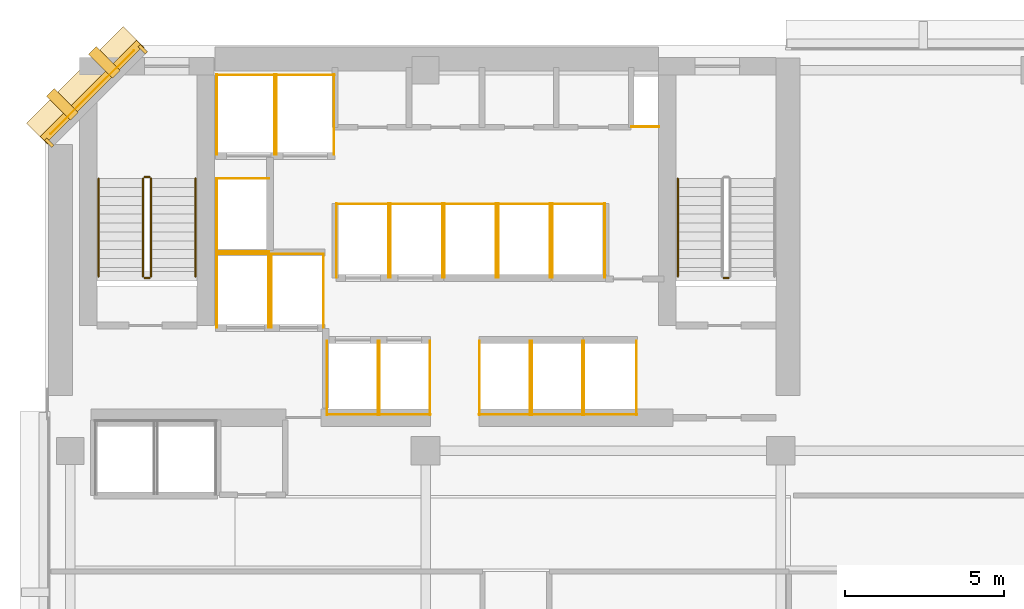
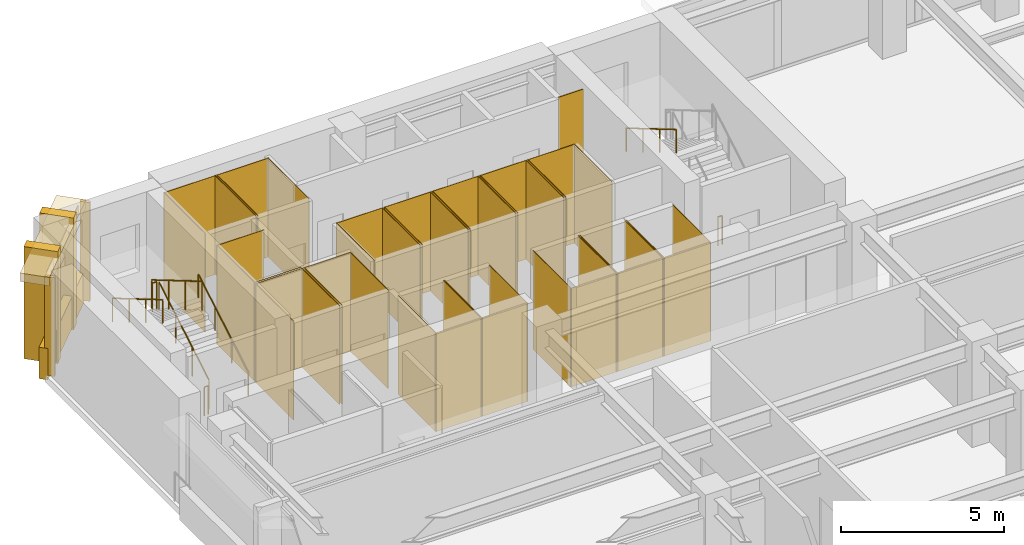
# One storey, part 10 of 12: 53 coverings, 8 railings.
"""IFC4 building model written with IfcOpenShell, lengths in metres."""

from ifc_helpers import new_model, si_unit, direction, frame, origin, origin_2d, place, context, subcontext, project, spatial, polyline, rectangle, circle, outline, extrude, material, layer, layer_set, type_object, element, save


model = new_model("IFC4")

# Units and contexts
model_context = context("Model", 3, precision=1e-05, world=origin(), true_north=direction((0.0, 1.0)))
body_context = subcontext(model_context, "Body", "Model", "MODEL_VIEW")
ifc_project = project(units=[si_unit("LENGTHUNIT", "METRE"), si_unit("AREAUNIT", "SQUARE_METRE"), si_unit("VOLUMEUNIT", "CUBIC_METRE"), si_unit("PLANEANGLEUNIT", "RADIAN"), si_unit("MASSUNIT", "GRAM", prefix="KILO")], contexts=[model_context])

# Site, building, storey
site_placement = place(None, origin())
site = spatial("IfcSite", under=ifc_project, at=site_placement, CompositionType="ELEMENT")
building_placement = place(site_placement, origin())
building = spatial("IfcBuilding", under=site, at=building_placement, Name="Kefirva Bronze Tower", CompositionType="ELEMENT")
storey_placement = place(building_placement, frame((0.0, 0.0, 110.550048828125)))
storey = spatial("IfcBuildingStorey", under=building, at=storey_placement, Name="L26", CompositionType="ELEMENT", Elevation=110.550048828125)

# Coverings
ifc_material_1 = material(Name="Bronze anodised aluminium", Category="aluminium")
ifc_layer_1 = layer(ifc_material_1, 0.02001953125, Name="Bronze anodised aluminium")
ifc_layer_set_1 = layer_set([ifc_layer_1], Name="Bronze anodised aluminium")
covering_type_1 = type_object("IfcCoveringType", Name="Anodised Bronze Spandrel Cladding 20mm", PredefinedType="CLADDING", material=ifc_layer_set_1)
covering_1_placement = place(storey_placement, frame((1.492919921875, 44.507080078125, 3.2900390625), z_axis=(0.0, 0.0, 1.0), x_axis=(-0.707106781187, -0.707106781187, 0.0)))
element("IfcCovering", 1, at=covering_1_placement, inside=storey, type_object=covering_type_1, Name="L26 Bronze Spandrel Cladding 6", PredefinedType="CLADDING", context=body_context, shape_type="SweptSolid", body=[
    extrude(rectangle(XDim=3.719482421875, YDim=0.02001953125, at=origin_2d()), origin(), (0.0, 0.0, 1.0), 0.39990234375),
])
for number, where, z_axis, x_axis, name in (
    (2, (3.08837890625, 45.862060546875, 0.0), (0.0, 0.0, 1.0), (-0.707106781187, -0.707106781187, 0.0), "L26 Facade Joint Closure Panel 6S"),
    (3, (0.137939453125, 42.91162109375, 0.0), (0.0, 0.0, 1.0), (-0.707106781187, -0.707106781187, 0.0), "L26 Facade Joint Closure Panel 6E"),
):
    element("IfcCovering", number, at=place(storey_placement, frame(where, z_axis=z_axis, x_axis=x_axis)), inside=storey, type_object=covering_type_1, Name=name, PredefinedType="CLADDING", context=body_context, shape_type="SweptSolid", body=[
        extrude(rectangle(XDim=0.10009765625, YDim=0.320068359375, at=origin_2d()), origin(), (0.0, 0.0, 1.0), 3.7099609375),
    ])
covering_2_placement = place(storey_placement, frame((1.4716796875, 44.5283203125, -0.16015625), z_axis=(0.0, 0.0, 1.0), x_axis=(-0.707106781187, -0.707106781187, 0.0)))
element("IfcCovering", 4, at=covering_2_placement, inside=storey, type_object=covering_type_1, Name="L26 Streamline Horizontal Spandrel Band 9", PredefinedType="CLADDING", context=body_context, shape_type="SweptSolid", body=[
    extrude(rectangle(XDim=4.28271484375, YDim=0.280029296875, at=origin_2d()), origin(), (0.0, 0.0, 1.0), 1.179931640625),
])
covering_3_placement = place(storey_placement, origin())
element("IfcCovering", 5, at=covering_3_placement, inside=storey, type_object=covering_type_1, Name="L26 Lift FF1 Hoistway Liner N", PredefinedType="CLADDING", context=body_context, shape_type="SweptSolid", body=[
    extrude(outline(polyline([(5.39990234375, 39.389892578125), (7.080078125, 39.389892578125), (7.080078125, 39.409912109375), (5.39990234375, 39.409912109375), (5.39990234375, 39.389892578125)])), origin(), (0.0, 0.0, 1.0), 3.7099609375),
])
covering_4_placement = place(storey_placement, origin())
element("IfcCovering", 6, at=covering_4_placement, inside=storey, type_object=covering_type_1, Name="L26 Lift FF1 Hoistway Liner W", PredefinedType="CLADDING", context=body_context, shape_type="SweptSolid", body=[
    extrude(outline(polyline([(5.409912109375, 37.080078125), (5.429931640625, 37.080078125), (5.429931640625, 39.419921875), (5.409912109375, 39.419921875), (5.409912109375, 37.080078125)])), origin(), (0.0, 0.0, 1.0), 3.7099609375),
])
covering_5_placement = place(storey_placement, origin())
element("IfcCovering", 7, at=covering_5_placement, inside=storey, type_object=covering_type_1, Name="L26 Lift FF1 Hoistway Liner E", PredefinedType="CLADDING", context=body_context, shape_type="SweptSolid", body=[
    extrude(outline(polyline([(7.050048828125, 37.080078125), (7.070068359375, 37.080078125), (7.070068359375, 39.419921875), (7.050048828125, 39.419921875), (7.050048828125, 37.080078125)])), origin(), (0.0, 0.0, 1.0), 3.7099609375),
])
covering_6_placement = place(storey_placement, origin())
element("IfcCovering", 8, at=covering_6_placement, inside=storey, type_object=covering_type_1, Name="L26 Lift FF2 Hoistway Liner N", PredefinedType="CLADDING", context=body_context, shape_type="SweptSolid", body=[
    extrude(outline(polyline([(7.1201171875, 39.389892578125), (8.800048828125, 39.389892578125), (8.800048828125, 39.409912109375), (7.1201171875, 39.409912109375), (7.1201171875, 39.389892578125)])), origin(), (0.0, 0.0, 1.0), 3.7099609375),
])
covering_7_placement = place(storey_placement, origin())
element("IfcCovering", 9, at=covering_7_placement, inside=storey, type_object=covering_type_1, Name="L26 Lift FF2 Hoistway Liner W", PredefinedType="CLADDING", context=body_context, shape_type="SweptSolid", body=[
    extrude(outline(polyline([(7.1298828125, 37.080078125), (7.14990234375, 37.080078125), (7.14990234375, 39.419921875), (7.1298828125, 39.419921875), (7.1298828125, 37.080078125)])), origin(), (0.0, 0.0, 1.0), 3.7099609375),
])
covering_8_placement = place(storey_placement, origin())
element("IfcCovering", 10, at=covering_8_placement, inside=storey, type_object=covering_type_1, Name="L26 Lift FF2 Hoistway Liner E", PredefinedType="CLADDING", context=body_context, shape_type="SweptSolid", body=[
    extrude(outline(polyline([(8.77001953125, 37.080078125), (8.7900390625, 37.080078125), (8.7900390625, 39.419921875), (8.77001953125, 39.419921875), (8.77001953125, 37.080078125)])), origin(), (0.0, 0.0, 1.0), 3.7099609375),
])
covering_9_placement = place(storey_placement, origin())
element("IfcCovering", 11, at=covering_9_placement, inside=storey, type_object=covering_type_1, Name="L26 Lift SV1 Hoistway Liner N", PredefinedType="CLADDING", context=body_context, shape_type="SweptSolid", body=[
    extrude(outline(polyline([(5.39990234375, 45.0400390625), (7.260009765625, 45.0400390625), (7.260009765625, 45.06005859375), (5.39990234375, 45.06005859375), (5.39990234375, 45.0400390625)])), origin(), (0.0, 0.0, 1.0), 3.7099609375),
])
covering_10_placement = place(storey_placement, origin())
element("IfcCovering", 12, at=covering_10_placement, inside=storey, type_object=covering_type_1, Name="L26 Lift SV1 Hoistway Liner W", PredefinedType="CLADDING", context=body_context, shape_type="SweptSolid", body=[
    extrude(outline(polyline([(5.409912109375, 42.530029296875), (5.429931640625, 42.530029296875), (5.429931640625, 45.070068359375), (5.409912109375, 45.070068359375), (5.409912109375, 42.530029296875)])), origin(), (0.0, 0.0, 1.0), 3.7099609375),
])
covering_11_placement = place(storey_placement, origin())
element("IfcCovering", 13, at=covering_11_placement, inside=storey, type_object=covering_type_1, Name="L26 Lift SV1 Hoistway Liner E", PredefinedType="CLADDING", context=body_context, shape_type="SweptSolid", body=[
    extrude(outline(polyline([(7.22998046875, 42.530029296875), (7.25, 42.530029296875), (7.25, 45.070068359375), (7.22998046875, 45.070068359375), (7.22998046875, 42.530029296875)])), origin(), (0.0, 0.0, 1.0), 3.7099609375),
])
covering_12_placement = place(storey_placement, origin())
element("IfcCovering", 14, at=covering_12_placement, inside=storey, type_object=covering_type_1, Name="L26 Lift SV2 Hoistway Liner N", PredefinedType="CLADDING", context=body_context, shape_type="SweptSolid", body=[
    extrude(outline(polyline([(7.280029296875, 45.0400390625), (9.139892578125, 45.0400390625), (9.139892578125, 45.06005859375), (7.280029296875, 45.06005859375), (7.280029296875, 45.0400390625)])), origin(), (0.0, 0.0, 1.0), 3.7099609375),
])
covering_13_placement = place(storey_placement, origin())
element("IfcCovering", 15, at=covering_13_placement, inside=storey, type_object=covering_type_1, Name="L26 Lift SV2 Hoistway Liner W", PredefinedType="CLADDING", context=body_context, shape_type="SweptSolid", body=[
    extrude(outline(polyline([(7.2900390625, 42.530029296875), (7.31005859375, 42.530029296875), (7.31005859375, 45.070068359375), (7.2900390625, 45.070068359375), (7.2900390625, 42.530029296875)])), origin(), (0.0, 0.0, 1.0), 3.7099609375),
])
covering_14_placement = place(storey_placement, origin())
element("IfcCovering", 16, at=covering_14_placement, inside=storey, type_object=covering_type_1, Name="L26 Lift SV2 Hoistway Liner E", PredefinedType="CLADDING", context=body_context, shape_type="SweptSolid", body=[
    extrude(outline(polyline([(9.110107421875, 42.530029296875), (9.1298828125, 42.530029296875), (9.1298828125, 45.070068359375), (9.110107421875, 45.070068359375), (9.110107421875, 42.530029296875)])), origin(), (0.0, 0.0, 1.0), 3.7099609375),
])
covering_15_placement = place(storey_placement, origin())
element("IfcCovering", 17, at=covering_15_placement, inside=storey, type_object=covering_type_1, Name="L26 Lift LP1 Hoistway Liner S", PredefinedType="CLADDING", context=body_context, shape_type="SweptSolid", body=[
    extrude(outline(polyline([(8.8798828125, 34.340087890625), (10.52001953125, 34.340087890625), (10.52001953125, 34.360107421875), (8.8798828125, 34.360107421875), (8.8798828125, 34.340087890625)])), origin(), (0.0, 0.0, 1.0), 3.7099609375),
])
covering_16_placement = place(storey_placement, origin())
element("IfcCovering", 18, at=covering_16_placement, inside=storey, type_object=covering_type_1, Name="L26 Lift LP1 Hoistway Liner W", PredefinedType="CLADDING", context=body_context, shape_type="SweptSolid", body=[
    extrude(outline(polyline([(8.889892578125, 34.330078125), (8.909912109375, 34.330078125), (8.909912109375, 36.669921875), (8.889892578125, 36.669921875), (8.889892578125, 34.330078125)])), origin(), (0.0, 0.0, 1.0), 3.7099609375),
])
covering_17_placement = place(storey_placement, origin())
element("IfcCovering", 19, at=covering_17_placement, inside=storey, type_object=covering_type_1, Name="L26 Lift LP1 Hoistway Liner E", PredefinedType="CLADDING", context=body_context, shape_type="SweptSolid", body=[
    extrude(outline(polyline([(10.489990234375, 34.330078125), (10.510009765625, 34.330078125), (10.510009765625, 36.669921875), (10.489990234375, 36.669921875), (10.489990234375, 34.330078125)])), origin(), (0.0, 0.0, 1.0), 3.7099609375),
])
covering_18_placement = place(storey_placement, origin())
element("IfcCovering", 20, at=covering_18_placement, inside=storey, type_object=covering_type_1, Name="L26 Lift LP2 Hoistway Liner S", PredefinedType="CLADDING", context=body_context, shape_type="SweptSolid", body=[
    extrude(outline(polyline([(10.52001953125, 34.340087890625), (12.159912109375, 34.340087890625), (12.159912109375, 34.360107421875), (10.52001953125, 34.360107421875), (10.52001953125, 34.340087890625)])), origin(), (0.0, 0.0, 1.0), 3.7099609375),
])
covering_19_placement = place(storey_placement, origin())
element("IfcCovering", 21, at=covering_19_placement, inside=storey, type_object=covering_type_1, Name="L26 Lift LP2 Hoistway Liner W", PredefinedType="CLADDING", context=body_context, shape_type="SweptSolid", body=[
    extrude(outline(polyline([(10.530029296875, 34.330078125), (10.550048828125, 34.330078125), (10.550048828125, 36.669921875), (10.530029296875, 36.669921875), (10.530029296875, 34.330078125)])), origin(), (0.0, 0.0, 1.0), 3.7099609375),
])
covering_20_placement = place(storey_placement, origin())
element("IfcCovering", 22, at=covering_20_placement, inside=storey, type_object=covering_type_1, Name="L26 Lift LP2 Hoistway Liner E", PredefinedType="CLADDING", context=body_context, shape_type="SweptSolid", body=[
    extrude(outline(polyline([(12.1298828125, 34.330078125), (12.14990234375, 34.330078125), (12.14990234375, 36.669921875), (12.1298828125, 36.669921875), (12.1298828125, 34.330078125)])), origin(), (0.0, 0.0, 1.0), 3.7099609375),
])
covering_21_placement = place(storey_placement, origin())
element("IfcCovering", 23, at=covering_21_placement, inside=storey, type_object=covering_type_1, Name="L26 Lift LP3 Hoistway Liner N", PredefinedType="CLADDING", context=body_context, shape_type="SweptSolid", body=[
    extrude(outline(polyline([(9.179931640625, 40.969970703125), (10.85009765625, 40.969970703125), (10.85009765625, 40.989990234375), (9.179931640625, 40.989990234375), (9.179931640625, 40.969970703125)])), origin(), (0.0, 0.0, 1.0), 3.7099609375),
])
covering_22_placement = place(storey_placement, origin())
element("IfcCovering", 24, at=covering_22_placement, inside=storey, type_object=covering_type_1, Name="L26 Lift LP3 Hoistway Liner W", PredefinedType="CLADDING", context=body_context, shape_type="SweptSolid", body=[
    extrude(outline(polyline([(9.18994140625, 38.659912109375), (9.2099609375, 38.659912109375), (9.2099609375, 41.0), (9.18994140625, 41.0), (9.18994140625, 38.659912109375)])), origin(), (0.0, 0.0, 1.0), 3.7099609375),
])
covering_23_placement = place(storey_placement, origin())
element("IfcCovering", 25, at=covering_23_placement, inside=storey, type_object=covering_type_1, Name="L26 Lift LP3 Hoistway Liner E", PredefinedType="CLADDING", context=body_context, shape_type="SweptSolid", body=[
    extrude(outline(polyline([(10.820068359375, 38.659912109375), (10.840087890625, 38.659912109375), (10.840087890625, 41.0), (10.820068359375, 41.0), (10.820068359375, 38.659912109375)])), origin(), (0.0, 0.0, 1.0), 3.7099609375),
])
covering_24_placement = place(storey_placement, origin())
element("IfcCovering", 26, at=covering_24_placement, inside=storey, type_object=covering_type_1, Name="L26 Lift LP4 Hoistway Liner N", PredefinedType="CLADDING", context=body_context, shape_type="SweptSolid", body=[
    extrude(outline(polyline([(10.8798828125, 40.969970703125), (12.550048828125, 40.969970703125), (12.550048828125, 40.989990234375), (10.8798828125, 40.989990234375), (10.8798828125, 40.969970703125)])), origin(), (0.0, 0.0, 1.0), 3.7099609375),
])
covering_25_placement = place(storey_placement, origin())
element("IfcCovering", 27, at=covering_25_placement, inside=storey, type_object=covering_type_1, Name="L26 Lift LP4 Hoistway Liner W", PredefinedType="CLADDING", context=body_context, shape_type="SweptSolid", body=[
    extrude(outline(polyline([(10.889892578125, 38.659912109375), (10.909912109375, 38.659912109375), (10.909912109375, 41.0), (10.889892578125, 41.0), (10.889892578125, 38.659912109375)])), origin(), (0.0, 0.0, 1.0), 3.7099609375),
])
covering_26_placement = place(storey_placement, origin())
element("IfcCovering", 28, at=covering_26_placement, inside=storey, type_object=covering_type_1, Name="L26 Lift LP4 Hoistway Liner E", PredefinedType="CLADDING", context=body_context, shape_type="SweptSolid", body=[
    extrude(outline(polyline([(12.52001953125, 38.659912109375), (12.5400390625, 38.659912109375), (12.5400390625, 41.0), (12.52001953125, 41.0), (12.52001953125, 38.659912109375)])), origin(), (0.0, 0.0, 1.0), 3.7099609375),
])
covering_27_placement = place(storey_placement, origin())
element("IfcCovering", 29, at=covering_27_placement, inside=storey, type_object=covering_type_1, Name="L26 Lift MP1 Hoistway Liner S", PredefinedType="CLADDING", context=body_context, shape_type="SweptSolid", body=[
    extrude(outline(polyline([(13.679931640625, 34.340087890625), (15.320068359375, 34.340087890625), (15.320068359375, 34.360107421875), (13.679931640625, 34.360107421875), (13.679931640625, 34.340087890625)])), origin(), (0.0, 0.0, 1.0), 3.7099609375),
])
covering_28_placement = place(storey_placement, origin())
element("IfcCovering", 30, at=covering_28_placement, inside=storey, type_object=covering_type_1, Name="L26 Lift MP1 Hoistway Liner W", PredefinedType="CLADDING", context=body_context, shape_type="SweptSolid", body=[
    extrude(outline(polyline([(13.68994140625, 34.330078125), (13.7099609375, 34.330078125), (13.7099609375, 36.669921875), (13.68994140625, 36.669921875), (13.68994140625, 34.330078125)])), origin(), (0.0, 0.0, 1.0), 3.7099609375),
])
covering_29_placement = place(storey_placement, origin())
element("IfcCovering", 31, at=covering_29_placement, inside=storey, type_object=covering_type_1, Name="L26 Lift MP1 Hoistway Liner E", PredefinedType="CLADDING", context=body_context, shape_type="SweptSolid", body=[
    extrude(outline(polyline([(15.2900390625, 34.330078125), (15.31005859375, 34.330078125), (15.31005859375, 36.669921875), (15.2900390625, 36.669921875), (15.2900390625, 34.330078125)])), origin(), (0.0, 0.0, 1.0), 3.7099609375),
])
covering_30_placement = place(storey_placement, origin())
element("IfcCovering", 32, at=covering_30_placement, inside=storey, type_object=covering_type_1, Name="L26 Lift MP2 Hoistway Liner S", PredefinedType="CLADDING", context=body_context, shape_type="SweptSolid", body=[
    extrude(outline(polyline([(15.330078125, 34.340087890625), (16.969970703125, 34.340087890625), (16.969970703125, 34.360107421875), (15.330078125, 34.360107421875), (15.330078125, 34.340087890625)])), origin(), (0.0, 0.0, 1.0), 3.7099609375),
])
covering_31_placement = place(storey_placement, origin())
element("IfcCovering", 33, at=covering_31_placement, inside=storey, type_object=covering_type_1, Name="L26 Lift MP2 Hoistway Liner W", PredefinedType="CLADDING", context=body_context, shape_type="SweptSolid", body=[
    extrude(outline(polyline([(15.340087890625, 34.330078125), (15.360107421875, 34.330078125), (15.360107421875, 36.669921875), (15.340087890625, 36.669921875), (15.340087890625, 34.330078125)])), origin(), (0.0, 0.0, 1.0), 3.7099609375),
])
covering_32_placement = place(storey_placement, origin())
element("IfcCovering", 34, at=covering_32_placement, inside=storey, type_object=covering_type_1, Name="L26 Lift MP2 Hoistway Liner E", PredefinedType="CLADDING", context=body_context, shape_type="SweptSolid", body=[
    extrude(outline(polyline([(16.93994140625, 34.330078125), (16.9599609375, 34.330078125), (16.9599609375, 36.669921875), (16.93994140625, 36.669921875), (16.93994140625, 34.330078125)])), origin(), (0.0, 0.0, 1.0), 3.7099609375),
])
covering_33_placement = place(storey_placement, origin())
element("IfcCovering", 35, at=covering_33_placement, inside=storey, type_object=covering_type_1, Name="L26 Lift MP3 Hoistway Liner N", PredefinedType="CLADDING", context=body_context, shape_type="SweptSolid", body=[
    extrude(outline(polyline([(12.580078125, 40.969970703125), (14.25, 40.969970703125), (14.25, 40.989990234375), (12.580078125, 40.989990234375), (12.580078125, 40.969970703125)])), origin(), (0.0, 0.0, 1.0), 3.7099609375),
])
covering_34_placement = place(storey_placement, origin())
element("IfcCovering", 36, at=covering_34_placement, inside=storey, type_object=covering_type_1, Name="L26 Lift MP3 Hoistway Liner W", PredefinedType="CLADDING", context=body_context, shape_type="SweptSolid", body=[
    extrude(outline(polyline([(12.590087890625, 38.659912109375), (12.610107421875, 38.659912109375), (12.610107421875, 41.0), (12.590087890625, 41.0), (12.590087890625, 38.659912109375)])), origin(), (0.0, 0.0, 1.0), 3.7099609375),
])
covering_35_placement = place(storey_placement, origin())
element("IfcCovering", 37, at=covering_35_placement, inside=storey, type_object=covering_type_1, Name="L26 Lift MP3 Hoistway Liner E", PredefinedType="CLADDING", context=body_context, shape_type="SweptSolid", body=[
    extrude(outline(polyline([(14.219970703125, 38.659912109375), (14.239990234375, 38.659912109375), (14.239990234375, 41.0), (14.219970703125, 41.0), (14.219970703125, 38.659912109375)])), origin(), (0.0, 0.0, 1.0), 3.7099609375),
])
covering_36_placement = place(storey_placement, origin())
element("IfcCovering", 38, at=covering_36_placement, inside=storey, type_object=covering_type_1, Name="L26 Lift MP4 Hoistway Liner N", PredefinedType="CLADDING", context=body_context, shape_type="SweptSolid", body=[
    extrude(outline(polyline([(14.280029296875, 40.969970703125), (15.949951171875, 40.969970703125), (15.949951171875, 40.989990234375), (14.280029296875, 40.989990234375), (14.280029296875, 40.969970703125)])), origin(), (0.0, 0.0, 1.0), 3.7099609375),
])
covering_37_placement = place(storey_placement, origin())
element("IfcCovering", 39, at=covering_37_placement, inside=storey, type_object=covering_type_1, Name="L26 Lift MP4 Hoistway Liner W", PredefinedType="CLADDING", context=body_context, shape_type="SweptSolid", body=[
    extrude(outline(polyline([(14.2900390625, 38.659912109375), (14.31005859375, 38.659912109375), (14.31005859375, 41.0), (14.2900390625, 41.0), (14.2900390625, 38.659912109375)])), origin(), (0.0, 0.0, 1.0), 3.7099609375),
])
covering_38_placement = place(storey_placement, origin())
element("IfcCovering", 40, at=covering_38_placement, inside=storey, type_object=covering_type_1, Name="L26 Lift MP4 Hoistway Liner E", PredefinedType="CLADDING", context=body_context, shape_type="SweptSolid", body=[
    extrude(outline(polyline([(15.919921875, 38.659912109375), (15.93994140625, 38.659912109375), (15.93994140625, 41.0), (15.919921875, 41.0), (15.919921875, 38.659912109375)])), origin(), (0.0, 0.0, 1.0), 3.7099609375),
])
covering_39_placement = place(storey_placement, origin())
element("IfcCovering", 41, at=covering_39_placement, inside=storey, type_object=covering_type_1, Name="L26 Lift HP1 Hoistway Liner S", PredefinedType="CLADDING", context=body_context, shape_type="SweptSolid", body=[
    extrude(outline(polyline([(16.97998046875, 34.340087890625), (18.669921875, 34.340087890625), (18.669921875, 34.360107421875), (16.97998046875, 34.360107421875), (16.97998046875, 34.340087890625)])), origin(), (0.0, 0.0, 1.0), 3.7099609375),
])
covering_40_placement = place(storey_placement, origin())
element("IfcCovering", 42, at=covering_40_placement, inside=storey, type_object=covering_type_1, Name="L26 Lift HP1 Hoistway Liner W", PredefinedType="CLADDING", context=body_context, shape_type="SweptSolid", body=[
    extrude(outline(polyline([(16.989990234375, 34.330078125), (17.010009765625, 34.330078125), (17.010009765625, 36.669921875), (16.989990234375, 36.669921875), (16.989990234375, 34.330078125)])), origin(), (0.0, 0.0, 1.0), 3.7099609375),
])
covering_41_placement = place(storey_placement, origin())
element("IfcCovering", 43, at=covering_41_placement, inside=storey, type_object=covering_type_1, Name="L26 Lift HP1 Hoistway Liner E", PredefinedType="CLADDING", context=body_context, shape_type="SweptSolid", body=[
    extrude(outline(polyline([(18.639892578125, 34.330078125), (18.659912109375, 34.330078125), (18.659912109375, 36.669921875), (18.639892578125, 36.669921875), (18.639892578125, 34.330078125)])), origin(), (0.0, 0.0, 1.0), 3.7099609375),
])
covering_42_placement = place(storey_placement, origin())
element("IfcCovering", 44, at=covering_42_placement, inside=storey, type_object=covering_type_1, Name="L26 Lift HP2 Hoistway Liner N", PredefinedType="CLADDING", context=body_context, shape_type="SweptSolid", body=[
    extrude(outline(polyline([(15.97998046875, 40.969970703125), (17.669921875, 40.969970703125), (17.669921875, 40.989990234375), (15.97998046875, 40.989990234375), (15.97998046875, 40.969970703125)])), origin(), (0.0, 0.0, 1.0), 3.7099609375),
])
covering_43_placement = place(storey_placement, origin())
element("IfcCovering", 45, at=covering_43_placement, inside=storey, type_object=covering_type_1, Name="L26 Lift HP2 Hoistway Liner W", PredefinedType="CLADDING", context=body_context, shape_type="SweptSolid", body=[
    extrude(outline(polyline([(15.989990234375, 38.659912109375), (16.010009765625, 38.659912109375), (16.010009765625, 41.0), (15.989990234375, 41.0), (15.989990234375, 38.659912109375)])), origin(), (0.0, 0.0, 1.0), 3.7099609375),
])
covering_44_placement = place(storey_placement, origin())
element("IfcCovering", 46, at=covering_44_placement, inside=storey, type_object=covering_type_1, Name="L26 Lift HP2 Hoistway Liner E", PredefinedType="CLADDING", context=body_context, shape_type="SweptSolid", body=[
    extrude(outline(polyline([(17.639892578125, 38.659912109375), (17.659912109375, 38.659912109375), (17.659912109375, 41.0), (17.639892578125, 41.0), (17.639892578125, 38.659912109375)])), origin(), (0.0, 0.0, 1.0), 3.7099609375),
])
covering_45_placement = place(storey_placement, origin())
element("IfcCovering", 47, at=covering_45_placement, inside=storey, type_object=covering_type_1, Name="L26 Lift HP3 Hoistway Liner N", PredefinedType="CLADDING", context=body_context, shape_type="SweptSolid", body=[
    extrude(outline(polyline([(5.39990234375, 41.77001953125), (7.080078125, 41.77001953125), (7.080078125, 41.7900390625), (5.39990234375, 41.7900390625), (5.39990234375, 41.77001953125)])), origin(), (0.0, 0.0, 1.0), 3.7099609375),
])
covering_46_placement = place(storey_placement, origin())
element("IfcCovering", 48, at=covering_46_placement, inside=storey, type_object=covering_type_1, Name="L26 Lift HP3 Hoistway Liner S", PredefinedType="CLADDING", context=body_context, shape_type="SweptSolid", body=[
    extrude(outline(polyline([(5.39990234375, 39.469970703125), (7.080078125, 39.469970703125), (7.080078125, 39.489990234375), (5.39990234375, 39.489990234375), (5.39990234375, 39.469970703125)])), origin(), (0.0, 0.0, 1.0), 3.7099609375),
])
covering_47_placement = place(storey_placement, origin())
element("IfcCovering", 49, at=covering_47_placement, inside=storey, type_object=covering_type_1, Name="L26 Lift HP3 Hoistway Liner W", PredefinedType="CLADDING", context=body_context, shape_type="SweptSolid", body=[
    extrude(outline(polyline([(5.409912109375, 39.4599609375), (5.429931640625, 39.4599609375), (5.429931640625, 41.800048828125), (5.409912109375, 41.800048828125), (5.409912109375, 39.4599609375)])), origin(), (0.0, 0.0, 1.0), 3.7099609375),
])
covering_48_placement = place(storey_placement, origin())
element("IfcCovering", 50, at=covering_48_placement, inside=storey, type_object=covering_type_1, Name="L26 Core MEP Riser Shaft Liner South", PredefinedType="CLADDING", context=body_context, shape_type="SweptSolid", body=[
    extrude(outline(polyline([(18.47998046875, 43.39990234375), (19.360107421875, 43.39990234375), (19.360107421875, 43.429931640625), (18.47998046875, 43.429931640625), (18.47998046875, 43.39990234375)])), origin(), (0.0, 0.0, 1.0), 3.7099609375),
])

# Railings
ifc_material_2 = material(Name="Stainless steel 316", Category="steel")
railing_type_1 = type_object("IfcRailingType", Name="Interior Stair Guardrail 1100mm", PredefinedType="GUARDRAIL", material=ifc_material_2)
railing_1_placement = place(storey_placement, frame((3.35009765625, 38.699951171875, 0.1650390625)))
element("IfcRailing", 51, at=railing_1_placement, inside=storey, type_object=railing_type_1, Name="L26 ST-1 stair guard 1", PredefinedType="GUARDRAIL", context=body_context, shape_type="SweptSolid", body=[
    extrude(circle(Radius=0.02392578125, at=origin_2d()), frame((0.0, 0.0, 1.076171875), z_axis=(0.0, 0.861551262678, 0.507670583921), x_axis=(-1.0, 0.0, 0.0)), (0.0, 0.0, 1.0), 3.574951171875),
    extrude(circle(Radius=0.02099609375, at=origin_2d()), origin(), (0.0, 0.0, 1.0), 1.052001953125),
    extrude(circle(Radius=0.02099609375, at=origin_2d()), frame((0.0, 1.026611328125, 0.60498046875)), (0.0, 0.0, 1.0), 1.052001953125),
    extrude(circle(Radius=0.02099609375, at=origin_2d()), frame((0.0, 2.053466796875, 1.2099609375)), (0.0, 0.0, 1.0), 1.052001953125),
    extrude(circle(Radius=0.02099609375, at=origin_2d()), frame((0.0, 3.080078125, 1.81494140625)), (0.0, 0.0, 1.0), 1.052001953125),
])
railing_2_placement = place(storey_placement, frame((3.300048828125, 41.830078125, 1.97998046875)))
element("IfcRailing", 52, at=railing_2_placement, inside=storey, type_object=railing_type_1, Name="L26 ST-1 stair guard 2", PredefinedType="GUARDRAIL", context=body_context, shape_type="SweptSolid", body=[
    extrude(circle(Radius=0.02392578125, at=origin_2d()), frame((0.0, 0.0, 1.076171875), z_axis=(-1.0, 0.0, 0.0), x_axis=(0.0, -1.0, 0.0)), (0.0, 0.0, 1.0), 0.150146484375),
    extrude(circle(Radius=0.02099609375, at=origin_2d()), origin(), (0.0, 0.0, 1.0), 1.052001953125),
    extrude(circle(Radius=0.02099609375, at=origin_2d()), frame((-0.150146484375, 0.0, 0.0)), (0.0, 0.0, 1.0), 1.052001953125),
])
railing_3_placement = place(storey_placement, frame((3.10009765625, 41.780029296875, 2.14501953125)))
element("IfcRailing", 53, at=railing_3_placement, inside=storey, type_object=railing_type_1, Name="L26 ST-1 stair guard 3", PredefinedType="GUARDRAIL", context=body_context, shape_type="SweptSolid", body=[
    extrude(circle(Radius=0.02392578125, at=origin_2d()), frame((0.0, 0.0, 1.076171875), z_axis=(0.0, -0.861551262678, 0.507670583921), x_axis=(1.0, 0.0, 0.0)), (0.0, 0.0, 1.0), 3.574951171875),
    extrude(circle(Radius=0.02099609375, at=origin_2d()), origin(), (0.0, 0.0, 1.0), 1.052001953125),
    extrude(circle(Radius=0.02099609375, at=origin_2d()), frame((0.0, -1.026611328125, 0.60498046875)), (0.0, 0.0, 1.0), 1.052001953125),
    extrude(circle(Radius=0.02099609375, at=origin_2d()), frame((0.0, -2.053466796875, 1.2099609375)), (0.0, 0.0, 1.0), 1.052001953125),
    extrude(circle(Radius=0.02099609375, at=origin_2d()), frame((0.0, -3.080078125, 1.81494140625)), (0.0, 0.0, 1.0), 1.052001953125),
])
for number, where, name in (
    (54, (3.300048828125, 38.64990234375, 0.0), "L26 ST-1 stair guard 4"),
    (55, (21.550048828125, 38.64990234375, 0.0), "L26 ST-2 stair guard 4"),
):
    element("IfcRailing", number, at=place(storey_placement, frame(where)), inside=storey, type_object=railing_type_1, Name=name, PredefinedType="GUARDRAIL", context=body_context, shape_type="SweptSolid", body=[
        extrude(circle(Radius=0.02392578125, at=origin_2d()), frame((0.0, 0.0, 1.076171875), z_axis=(-1.0, 0.0, 0.0), x_axis=(0.0, -1.0, 0.0)), (0.0, 0.0, 1.0), 0.150146484375),
        extrude(circle(Radius=0.02099609375, at=origin_2d()), origin(), (0.0, 0.0, 1.0), 1.052001953125),
        extrude(circle(Radius=0.02099609375, at=origin_2d()), frame((-0.150146484375, 0.0, 0.0)), (0.0, 0.0, 1.0), 1.052001953125),
    ])
railing_type_2 = type_object("IfcRailingType", Name="Stair Pitch Handrail 900mm", PredefinedType="HANDRAIL", material=ifc_material_2)
railing_4_placement = place(storey_placement, frame((4.75, 38.699951171875, 0.1650390625)))
element("IfcRailing", 56, at=railing_4_placement, inside=storey, type_object=railing_type_2, Name="L26 ST-1 stair handrail 1", PredefinedType="HANDRAIL", context=body_context, shape_type="SweptSolid", body=[
    extrude(circle(Radius=0.02392578125, at=origin_2d()), frame((0.0, 0.0, 0.8759765625), z_axis=(0.0, 0.861551262678, 0.507670583921), x_axis=(-1.0, 0.0, 0.0)), (0.0, 0.0, 1.0), 3.574951171875),
    extrude(circle(Radius=0.02099609375, at=origin_2d()), origin(), (0.0, 0.0, 1.0), 0.851806640625),
    extrude(circle(Radius=0.02099609375, at=origin_2d()), frame((0.0, 1.026611328125, 0.60498046875)), (0.0, 0.0, 1.0), 0.851806640625),
    extrude(circle(Radius=0.02099609375, at=origin_2d()), frame((0.0, 2.053466796875, 1.2099609375)), (0.0, 0.0, 1.0), 0.851806640625),
    extrude(circle(Radius=0.02099609375, at=origin_2d()), frame((0.0, 3.080078125, 1.81494140625)), (0.0, 0.0, 1.0), 0.851806640625),
])
for number, where, name in (
    (57, (1.699951171875, 41.780029296875, 2.14501953125), "L26 ST-1 stair handrail 2"),
    (58, (19.949951171875, 41.780029296875, 2.14501953125), "L26 ST-2 stair handrail 2"),
):
    element("IfcRailing", number, at=place(storey_placement, frame(where)), inside=storey, type_object=railing_type_2, Name=name, PredefinedType="HANDRAIL", context=body_context, shape_type="SweptSolid", body=[
        extrude(circle(Radius=0.02392578125, at=origin_2d()), frame((0.0, 0.0, 0.8759765625), z_axis=(0.0, -0.861551262678, 0.507670583921), x_axis=(1.0, 0.0, 0.0)), (0.0, 0.0, 1.0), 3.574951171875),
        extrude(circle(Radius=0.02099609375, at=origin_2d()), origin(), (0.0, 0.0, 1.0), 0.851806640625),
        extrude(circle(Radius=0.02099609375, at=origin_2d()), frame((0.0, -1.026611328125, 0.60498046875)), (0.0, 0.0, 1.0), 0.851806640625),
        extrude(circle(Radius=0.02099609375, at=origin_2d()), frame((0.0, -2.053466796875, 1.2099609375)), (0.0, 0.0, 1.0), 0.851806640625),
        extrude(circle(Radius=0.02099609375, at=origin_2d()), frame((0.0, -3.080078125, 1.81494140625)), (0.0, 0.0, 1.0), 0.851806640625),
    ])

# Coverings
ifc_layer_2 = layer(ifc_material_1, 0.179931640625, Name="Bronze anodised aluminium")
ifc_layer_set_2 = layer_set([ifc_layer_2], Name="Bronze anodised aluminium")
covering_type_2 = type_object("IfcCoveringType", Name="Streamline Bronze Sunshade Eyebrow Cladding 180mm", PredefinedType="CLADDING", material=ifc_layer_set_2)
covering_49_placement = place(storey_placement, frame((1.28076171875, 44.71923828125, 3.39013671875), z_axis=(0.0, 0.0, 1.0), x_axis=(-0.707106781187, -0.707106781187, 0.0)))
element("IfcCovering", 59, at=covering_49_placement, inside=storey, type_object=covering_type_2, Name="L26 Streamline Bronze Sunshade Eyebrow 9", PredefinedType="CLADDING", context=body_context, shape_type="SweptSolid", body=[
    extrude(rectangle(XDim=4.322509765625, YDim=0.93994140625, at=origin_2d()), origin(), (0.0, 0.0, 1.0), 0.320068359375),
])
ifc_layer_3 = layer(ifc_material_1, 0.260009765625, Name="Bronze anodised aluminium")
ifc_layer_set_3 = layer_set([ifc_layer_3], Name="Bronze anodised aluminium")
covering_type_3 = type_object("IfcCoveringType", Name="Unbroken Bronze Buttress Fin Cladding 260mm", PredefinedType="CLADDING", material=ifc_layer_set_3)
for number, where, z_axis, x_axis, name in (
    (60, (1.877197265625, 45.44287109375, -0.25), (0.0, 0.0, 1.0), (-0.707106781187, -0.707106781187, 0.0), "L26 Chamfered Corner Buttress Fin Cladding 19"),
    (61, (0.55712890625, 44.122802734375, -0.25), (0.0, 0.0, 1.0), (-0.707106781187, -0.707106781187, 0.0), "L26 Chamfered Corner Buttress Fin Cladding 20"),
):
    element("IfcCovering", number, at=place(storey_placement, frame(where, z_axis=z_axis, x_axis=x_axis)), inside=storey, type_object=covering_type_3, Name=name, PredefinedType="CLADDING", context=body_context, shape_type="SweptSolid", body=[
        extrude(rectangle(XDim=0.340087890625, YDim=1.080078125, at=origin_2d()), origin(), (0.0, 0.0, 1.0), 4.2099609375),
    ])

save(model, "model.ifc")
